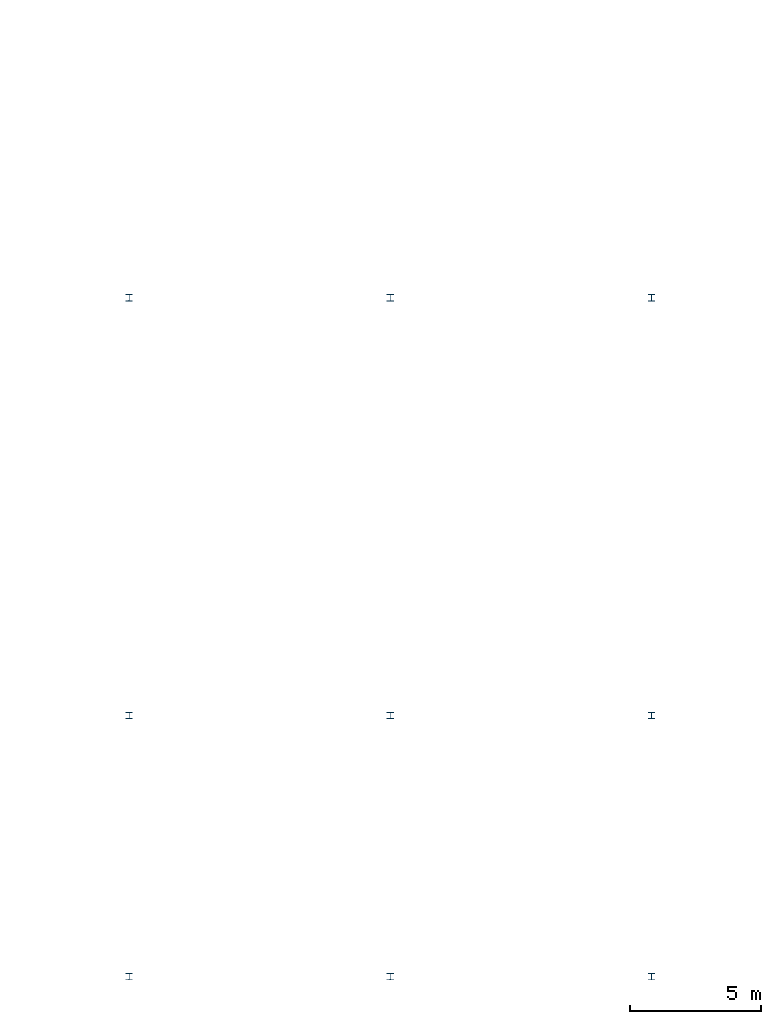
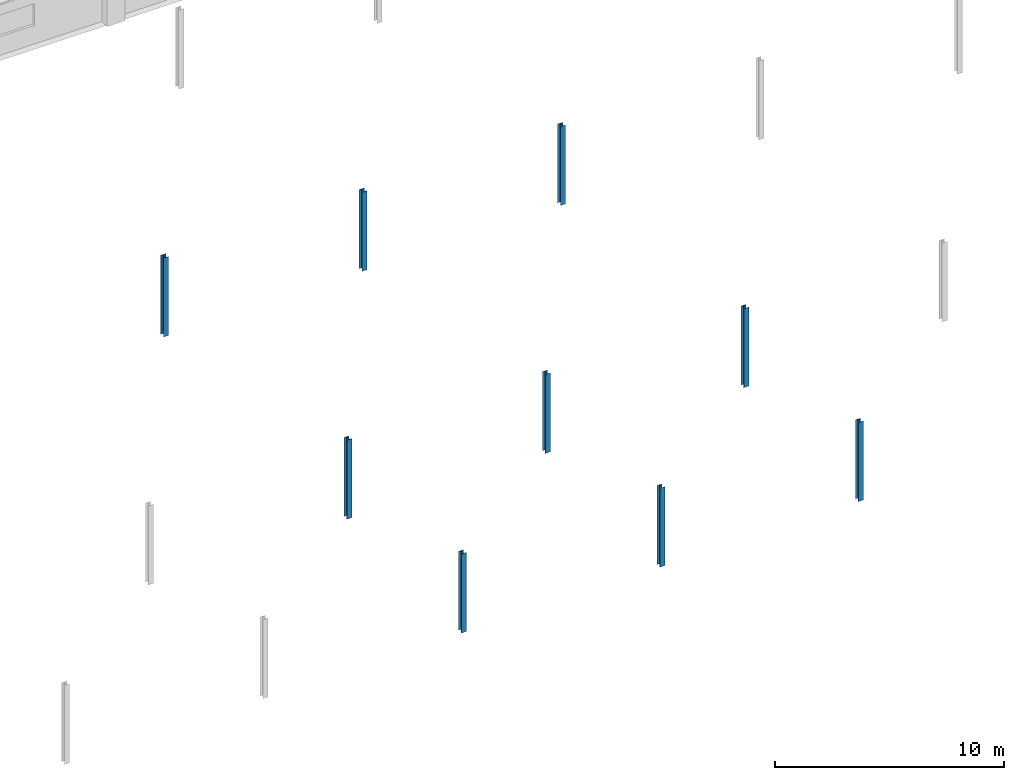
# One storey, part 15 of 100: 9 columns.
"""IFC4 building model written with IfcOpenShell, lengths in metres."""

import ifcopenshell
import ifcopenshell.guid

model = None  # the IFC model being written
_history = None  # IfcOwnerHistory: only IFC2X3 demands one
_inside = {}  # id of a spatial element -> (the spatial element, [elements in it])
_under = {}  # id of a project, library or spatial element -> (it, [spatial elements below it])
_declared = {}  # id of a project -> (the project, [libraries it declares])
_typed = {}  # id of a type object -> (the type object, [elements of that type])
_made_of = {}  # id of a material, layer set ... -> (it, [elements and type objects made of it])


def new_model(schema):
    """Start an empty IFC model of exactly this schema.

    Asked for "IFC4X3", IfcOpenShell would pick the latest addendum, in which some entities
    have other attributes; the version numbers below select the first issue.
    IFC2X3 requires an IfcOwnerHistory on every rooted entity: one is made here for all.
    """
    global model, _history
    if schema == "IFC4X3":
        model = ifcopenshell.file(schema_version=(4, 3, 0, 0))
    else:
        model = ifcopenshell.file(schema=schema)
    _inside.clear()
    _under.clear()
    _declared.clear()
    _typed.clear()
    _made_of.clear()
    _history = None
    if model.schema == "IFC2X3":
        org = make("IfcOrganization", Name="unknown")
        user = make(
            "IfcPersonAndOrganization",
            ThePerson=make("IfcPerson", FamilyName="unknown"),
            TheOrganization=org,
        )
        app = make(
            "IfcApplication",
            ApplicationDeveloper=org,
            Version="unknown",
            ApplicationFullName="unknown",
            ApplicationIdentifier="unknown",
        )
        _history = make(
            "IfcOwnerHistory",
            OwningUser=user,
            OwningApplication=app,
            ChangeAction="ADDED",
            CreationDate=0,
        )
    return model


def make(cls, **values):
    """One entity of the class cls with the attributes given. An attribute that is None is left unset."""
    return model.create_entity(
        cls, **{name: value for name, value in values.items() if value is not None}
    )


def rooted(cls, **values):
    """An entity with a GlobalId (a new one), such as an element, a storey or a relation."""
    return make(cls, GlobalId=ifcopenshell.guid.new(), OwnerHistory=_history, **values)


def si_unit(unit_type, name, prefix=None):
    """IfcSIUnit, for example si_unit("LENGTHUNIT", "METRE", prefix="MILLI")."""
    return make("IfcSIUnit", UnitType=unit_type, Prefix=prefix, Name=name)


def assignment(units):
    """IfcUnitAssignment: the units of a project."""
    return None if units is None else make("IfcUnitAssignment", Units=units)


def point(xyz):
    """IfcCartesianPoint."""
    return None if xyz is None else make("IfcCartesianPoint", Coordinates=xyz)


def direction(xyz):
    """IfcDirection."""
    return None if xyz is None else make("IfcDirection", DirectionRatios=xyz)


def frame(location, z_axis=None, x_axis=None):
    """IfcAxis2Placement3D, a coordinate frame: its origin and axes. An axis left out is left unset."""
    return make(
        "IfcAxis2Placement3D",
        Location=point(location),
        Axis=direction(z_axis),
        RefDirection=direction(x_axis),
    )


def frame_2d(location, x_axis=None):
    """IfcAxis2Placement2D, a coordinate frame in the plane: its origin and x axis."""
    return make(
        "IfcAxis2Placement2D", Location=point(location), RefDirection=direction(x_axis)
    )


def origin():
    """The frame at (0, 0, 0) with its axes left unset."""
    return frame((0.0, 0.0, 0.0))


def origin_2d():
    """The frame at (0, 0) in the plane with its x axis left unset."""
    return frame_2d((0.0, 0.0))


def place(relative_to, where):
    """IfcLocalPlacement: puts the frame where relative to a parent placement (None: the world)."""
    return make(
        "IfcLocalPlacement", PlacementRelTo=relative_to, RelativePlacement=where
    )


def context(
    kind, dimensions, precision=None, world=None, true_north=None, identifier=None
):
    """IfcGeometricRepresentationContext, for example the 3D "Model" context."""
    return make(
        "IfcGeometricRepresentationContext",
        ContextIdentifier=identifier,
        ContextType=kind,
        CoordinateSpaceDimension=dimensions,
        Precision=precision,
        WorldCoordinateSystem=world,
        TrueNorth=true_north,
    )


def subcontext(parent, identifier, kind, view, scale=None):
    """IfcGeometricRepresentationSubContext, for example "Body" below "Model"."""
    return make(
        "IfcGeometricRepresentationSubContext",
        ContextIdentifier=identifier,
        ContextType=kind,
        ParentContext=parent,
        TargetScale=scale,
        TargetView=view,
    )


def project(units=None, contexts=None):
    """IfcProject with its units and contexts."""
    return rooted(
        "IfcProject",
        Name="project",
        RepresentationContexts=contexts,
        UnitsInContext=assignment(units),
    )


def spatial(cls, under=None, at=None, **own):
    """A site, building, storey or space (cls), placed at a placement, below another one or the project."""
    s = rooted(cls, ObjectPlacement=at, **own)
    if under is not None:
        _under.setdefault(under.id(), (under, []))[1].append(s)
    return s


def profile(cls, at=None, kind="AREA", **sizes):
    """A parametric profile (cls). Its sizes go by their IFC names, for example OverallWidth=200.0."""
    return make(cls, ProfileType=kind, Position=at, **sizes)


def i_section(**sizes):
    """IfcIShapeProfileDef."""
    return profile("IfcIShapeProfileDef", **sizes)


def extrude(swept, where, along, depth):
    """IfcExtrudedAreaSolid: the profile swept, set in the frame where, extruded along a direction by depth."""
    return make(
        "IfcExtrudedAreaSolid",
        SweptArea=swept,
        Position=where,
        ExtrudedDirection=direction(along),
        Depth=depth,
    )


def shape(context_of_items, identifier, shape_type, items):
    """IfcShapeRepresentation: the items that make up one representation, for example the "Body"."""
    return make(
        "IfcShapeRepresentation",
        ContextOfItems=context_of_items,
        RepresentationIdentifier=identifier,
        RepresentationType=shape_type,
        Items=items,
    )


def material(Name=None, Category=None):
    """IfcMaterial."""
    return make("IfcMaterial", Name=Name, Category=Category)


def material_profile(
    of_material, cross_section, Name=None, Category=None, Priority=None
):
    """IfcMaterialProfile: a cross section and its material."""
    return make(
        "IfcMaterialProfile",
        Name=Name,
        Material=of_material,
        Profile=cross_section,
        Priority=Priority,
        Category=Category,
    )


def profile_set(profiles, Name=None, composite=None):
    """IfcMaterialProfileSet."""
    return make(
        "IfcMaterialProfileSet",
        Name=Name,
        MaterialProfiles=profiles,
        CompositeProfile=composite,
    )


def made_of(thing, what):
    """Note that an element or type object is made of a material, layer set ...; save() writes the relation."""
    if what is not None:
        _made_of.setdefault(what.id(), (what, []))[1].append(thing)
    return thing


def type_object(cls, material=None, **own):
    """A type object (cls), such as IfcWallType, which elements share."""
    return made_of(rooted(cls, **own), material)


def element(
    cls,
    number,
    at=None,
    inside=None,
    cuts=None,
    type_object=None,
    material=None,
    context=None,
    identifier="Body",
    shape_type=None,
    held_by="IfcProductDefinitionShape",
    body=None,
    shapes=None,
    **own,
):
    """One element of the class cls, such as IfcWall. Its Tag is "e" and its number.

    at: its placement. inside: the storey or other place that contains it. cuts: it is an
    opening in that element (IfcRelVoidsElement). A single representation is given by context,
    identifier, shape_type and body (its items); several are given by shapes. held_by: the class
    of the entity that holds the representations. save() writes the other relations.
    """
    e = rooted(cls, Tag="e%d" % number, ObjectPlacement=at, **own)
    if body is not None:
        shapes = [shape(context, identifier, shape_type, body)]
    if shapes is not None:
        e.Representation = make(held_by, Representations=shapes)
    if inside is not None:
        _inside.setdefault(inside.id(), (inside, []))[1].append(e)
    if cuts is not None:
        rooted(
            "IfcRelVoidsElement", RelatingBuildingElement=cuts, RelatedOpeningElement=e
        )
    if type_object is not None:
        _typed.setdefault(type_object.id(), (type_object, []))[1].append(e)
    return made_of(e, material)


def aggregate(whole, parts):
    """IfcRelAggregates: a whole, such as a stair, and the parts it consists of."""
    return rooted("IfcRelAggregates", RelatingObject=whole, RelatedObjects=parts)


def save(model, path):
    """Write the relations noted so far, then the file.

    IfcRelAggregates (storeys below a building ...), IfcRelContainedInSpatialStructure (elements
    in a storey), IfcRelDefinesByType, IfcRelAssociatesMaterial and IfcRelDeclares: one each for
    every whole, place, type object, material and project.
    """
    for whole, parts in _under.values():
        aggregate(whole, parts)
    for where, things in _inside.values():
        rooted(
            "IfcRelContainedInSpatialStructure",
            RelatedElements=things,
            RelatingStructure=where,
        )
    for kind, things in _typed.values():
        rooted("IfcRelDefinesByType", RelatedObjects=things, RelatingType=kind)
    for what, things in _made_of.values():
        rooted("IfcRelAssociatesMaterial", RelatedObjects=things, RelatingMaterial=what)
    for by, libraries in _declared.values():
        rooted("IfcRelDeclares", RelatingContext=by, RelatedDefinitions=libraries)
    model.write(path)


model = new_model("IFC4")

# Units and contexts
model_context = context("Model", 3, precision=1e-05, world=origin(), true_north=direction((0.0, 1.0)))
body_context = subcontext(model_context, "Body", "Model", "MODEL_VIEW")
ifc_project = project(units=[si_unit("LENGTHUNIT", "METRE"), si_unit("AREAUNIT", "SQUARE_METRE"), si_unit("VOLUMEUNIT", "CUBIC_METRE"), si_unit("PLANEANGLEUNIT", "RADIAN"), si_unit("MASSUNIT", "GRAM", prefix="KILO")], contexts=[model_context])

# Site, building, storey
site_placement = place(None, origin())
site = spatial("IfcSite", under=ifc_project, at=site_placement, CompositionType="ELEMENT")
building_placement = place(site_placement, origin())
building = spatial("IfcBuilding", under=site, at=building_placement, Name="Kivolera Central Railway Station", CompositionType="ELEMENT")
storey_placement = place(building_placement, frame((0.0, 0.0, 5.39990234375)))
storey = spatial("IfcBuildingStorey", under=building, at=storey_placement, Name="L01", CompositionType="ELEMENT", Elevation=5.39990234375)

# Columns
ifc_material = material(Name="Steel S355", Category="steel")
ifc_material_profile = material_profile(ifc_material, i_section(OverallWidth=0.25634765625, OverallDepth=0.26025390625, WebThickness=0.01025390625, FlangeThickness=0.017333984375, FilletRadius=0.0126953125, at=origin_2d()), Name="UC 254x254x89")
ifc_profile_set = profile_set([ifc_material_profile], Name="Steel S355")
column_type = type_object("IfcColumnType", Name="COL-STL-UC254", PredefinedType="COLUMN", material=ifc_profile_set)
for number, where, z_axis, x_axis, name in (
    (1, (138.0, 6.0, 0.0), (0.0, 0.0, 1.0), (1.0, 0.0, 0.0), "L01 Train Shed Column 14-A"),
    (2, (138.0, 16.0, 0.0), (0.0, 0.0, 1.0), (1.0, 0.0, 0.0), "L01 Train Shed Column 14-B"),
    (3, (138.0, 32.0, 0.0), (0.0, 0.0, 1.0), (1.0, 0.0, 0.0), "L01 Train Shed Column 14-C"),
    (4, (148.0, 6.0, 0.0), (0.0, 0.0, 1.0), (1.0, 0.0, 0.0), "L01 Train Shed Column 15-A"),
    (5, (148.0, 16.0, 0.0), (0.0, 0.0, 1.0), (1.0, 0.0, 0.0), "L01 Train Shed Column 15-B"),
    (6, (148.0, 32.0, 0.0), (0.0, 0.0, 1.0), (1.0, 0.0, 0.0), "L01 Train Shed Column 15-C"),
    (7, (158.0, 6.0, 0.0), (0.0, 0.0, 1.0), (1.0, 0.0, 0.0), "L01 Train Shed Column 16-A"),
    (8, (158.0, 16.0, 0.0), (0.0, 0.0, 1.0), (1.0, 0.0, 0.0), "L01 Train Shed Column 16-B"),
    (9, (158.0, 32.0, 0.0), (0.0, 0.0, 1.0), (1.0, 0.0, 0.0), "L01 Train Shed Column 16-C"),
):
    element("IfcColumn", number, at=place(storey_placement, frame(where, z_axis=z_axis, x_axis=x_axis)), inside=storey, type_object=column_type, Name=name, PredefinedType="COLUMN", context=body_context, shape_type="SweptSolid", body=[
        extrude(i_section(OverallWidth=0.25634765625, OverallDepth=0.26025390625, WebThickness=0.01025390625, FlangeThickness=0.017333984375, FilletRadius=0.0126953125, at=origin_2d()), origin(), (0.0, 0.0, 1.0), 4.2001953125),
    ])

save(model, "model.ifc")
